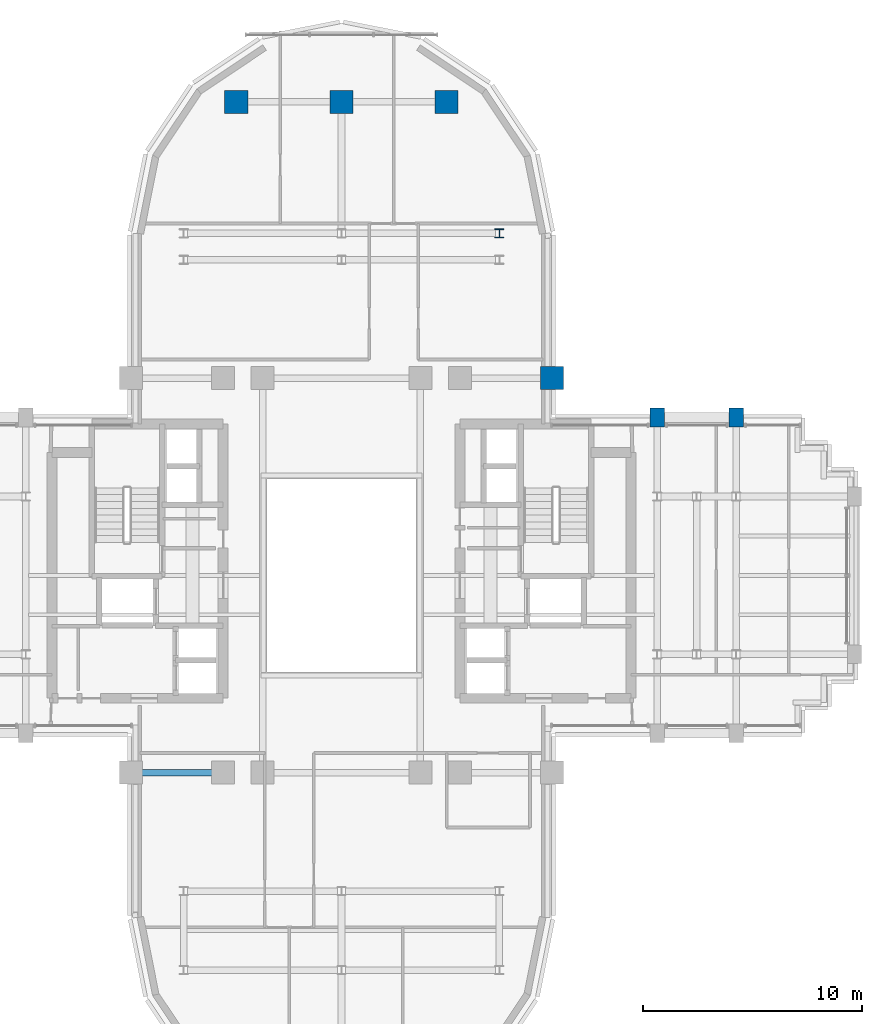
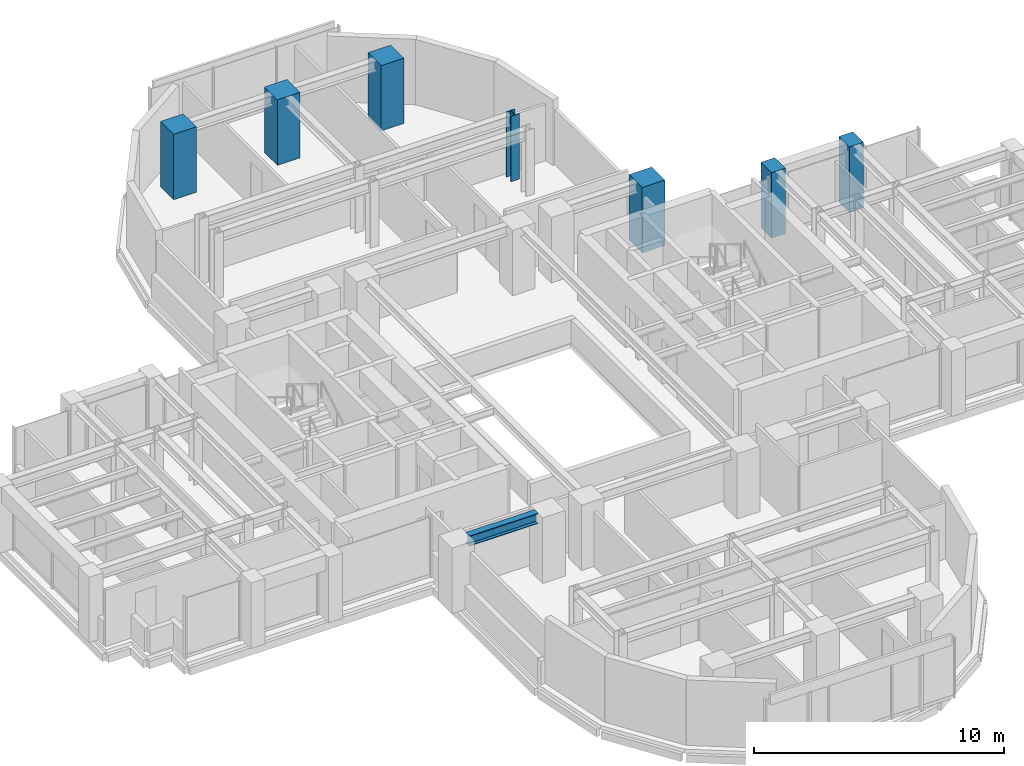
# One storey, part 2 of 14: 7 columns, 1 beam.
"""IFC4 building model written with IfcOpenShell, lengths in metres."""

from ifc_helpers import new_model, si_unit, direction, frame, origin, origin_2d, place, context, subcontext, project, spatial, rectangle, i_section, extrude, source, transform, mapped, material, material_profile, profile_set, type_object, element, save


model = new_model("IFC4")

# Units and contexts
model_context = context("Model", 3, precision=1e-05, world=origin(), true_north=direction((0.0, 1.0)))
body_context = subcontext(model_context, "Body", "Model", "MODEL_VIEW")
ifc_project = project(units=[si_unit("LENGTHUNIT", "METRE"), si_unit("AREAUNIT", "SQUARE_METRE"), si_unit("VOLUMEUNIT", "CUBIC_METRE"), si_unit("PLANEANGLEUNIT", "RADIAN"), si_unit("MASSUNIT", "GRAM", prefix="KILO")], contexts=[model_context])

# Site, building, storey
site_placement = place(None, origin())
site = spatial("IfcSite", under=ifc_project, at=site_placement, CompositionType="ELEMENT")
building_placement = place(site_placement, origin())
building = spatial("IfcBuilding", under=site, at=building_placement, Name="Keilestroom Media Tower", CompositionType="ELEMENT")
storey_placement = place(building_placement, frame((0.0, 0.0, 124.39990234375)))
storey = spatial("IfcBuildingStorey", under=building, at=storey_placement, Name="L33", CompositionType="ELEMENT", Elevation=124.39990234375)

# Columns
ifc_material_1 = material(Name="Precast concrete C40/50", Category="concrete")
ifc_material_profile_1 = material_profile(ifc_material_1, rectangle(XDim=0.64990234375, YDim=0.85009765625, at=origin_2d()), Name="PC 850x650")
ifc_profile_set_1 = profile_set([ifc_material_profile_1], Name="Precast concrete C40/50")
column_type_1 = type_object("IfcColumnType", Name="Structural-Column-PC-850x650", PredefinedType="COLUMN", material=ifc_profile_set_1)
shared_shape_1 = source(origin(), body_context, "Body", "SweptSolid", [
    extrude(rectangle(XDim=0.64990234375, YDim=0.85009765625, at=origin_2d()), origin(), (0.0, 0.0, 1.0), 3.2001953125),
])
for number, where, z_axis, x_axis, name in (
    (1, (14.39990234375, 7.199951171875, 0.0), (0.0, 0.0, 1.0), (1.0, 0.0, 0.0), "L33 Column PC-2 (+14.4,+7.2)"),
    (2, (18.0, 7.199951171875, 0.0), (0.0, 0.0, 1.0), (1.0, 0.0, 0.0), "L33 Column PC-2 (+18.0,+7.2)"),
):
    element("IfcColumn", number, at=place(storey_placement, frame(where, z_axis=z_axis, x_axis=x_axis)), inside=storey, type_object=column_type_1, Name=name, PredefinedType="COLUMN", context=body_context, shape_type="MappedRepresentation", body=[
        mapped(shared_shape_1, transform((0.0, 0.0, 0.0), x_axis=(1.0, 0.0, 0.0), y_axis=(0.0, 1.0, 0.0), z_axis=(0.0, 0.0, 1.0), scale=1.0)),
    ])
ifc_material_2 = material(Name="Steel S355", Category="steel")
ifc_material_profile_2 = material_profile(ifc_material_2, i_section(OverallWidth=0.40087890625, OverallDepth=0.39892578125, WebThickness=0.02001953125, FlangeThickness=0.031982421875, at=origin_2d()), Name="HD 400x314")
ifc_profile_set_2 = profile_set([ifc_material_profile_2], Name="Steel S355")
column_type_2 = type_object("IfcColumnType", Name="Structural-Column-HD-400x314", PredefinedType="COLUMN", material=ifc_profile_set_2)
shared_shape_2 = source(origin(), body_context, "Body", "SweptSolid", [
    extrude(i_section(OverallWidth=0.40087890625, OverallDepth=0.39892578125, WebThickness=0.02001953125, FlangeThickness=0.031982421875, at=origin_2d()), origin(), (0.0, 0.0, 1.0), 3.2001953125),
])
column_placement = place(storey_placement, frame((7.199951171875, 15.60009765625, 0.0), z_axis=(0.0, 0.0, 1.0), x_axis=(1.0, 0.0, 0.0)))
element("IfcColumn", 3, at=column_placement, inside=storey, type_object=column_type_2, Name="L33 Column SC-3 (+7.2,+15.6)", PredefinedType="COLUMN", context=body_context, shape_type="MappedRepresentation", body=[
    mapped(shared_shape_2, transform((0.0, 0.0, 0.0), x_axis=(1.0, 0.0, 0.0), y_axis=(0.0, 1.0, 0.0), z_axis=(0.0, 0.0, 1.0), scale=1.0)),
])
ifc_material_3 = material(Name="Concrete C55/67", Category="concrete")
ifc_material_profile_3 = material_profile(ifc_material_3, rectangle(XDim=1.050048828125, YDim=1.050048828125, at=origin_2d()), Name="RC 1050x1050")
ifc_profile_set_3 = profile_set([ifc_material_profile_3], Name="Concrete C55/67")
column_type_3 = type_object("IfcColumnType", Name="Structural-Column-RC-1050x1050", PredefinedType="COLUMN", material=ifc_profile_set_3)
shared_shape_3 = source(origin(), body_context, "Body", "SweptSolid", [
    extrude(rectangle(XDim=1.050048828125, YDim=1.050048828125, at=origin_2d()), origin(), (0.0, 0.0, 1.0), 3.2001953125),
])
for number, where, z_axis, x_axis, name in (
    (4, (-4.800048828125, 21.60009765625, 0.0), (0.0, 0.0, 1.0), (1.0, 0.0, 0.0), "L33 Column MC-3 (-4.8,+21.6)"),
    (5, (0.0, 21.60009765625, 0.0), (0.0, 0.0, 1.0), (1.0, 0.0, 0.0), "L33 Column MC-3 (+0.0,+21.6)"),
    (6, (4.800048828125, 21.60009765625, 0.0), (0.0, 0.0, 1.0), (1.0, 0.0, 0.0), "L33 Column MC-3 (+4.8,+21.6)"),
    (7, (9.60009765625, 9.0, 0.0), (0.0, 0.0, 1.0), (1.0, 0.0, 0.0), "L33 Column MC-3 (+9.6,+9.0)"),
):
    element("IfcColumn", number, at=place(storey_placement, frame(where, z_axis=z_axis, x_axis=x_axis)), inside=storey, type_object=column_type_3, Name=name, PredefinedType="COLUMN", context=body_context, shape_type="MappedRepresentation", body=[
        mapped(shared_shape_3, transform((0.0, 0.0, 0.0), x_axis=(1.0, 0.0, 0.0), y_axis=(0.0, 1.0, 0.0), z_axis=(0.0, 0.0, 1.0), scale=1.0)),
    ])

# Beam
ifc_material_profile_4 = material_profile(ifc_material_2, i_section(OverallWidth=0.300048828125, OverallDepth=0.5, WebThickness=0.012451171875, FlangeThickness=0.028076171875, at=origin_2d()), Name="HEB 500")
ifc_profile_set_4 = profile_set([ifc_material_profile_4], Name="Steel S355")
beam_type = type_object("IfcBeamType", Name="Primary-Structural-Girder-HEB-500", PredefinedType="BEAM", material=ifc_profile_set_4)
shared_shape_4 = source(origin(), body_context, "Body", "SweptSolid", [
    extrude(i_section(OverallWidth=0.300048828125, OverallDepth=0.5, WebThickness=0.012451171875, FlangeThickness=0.028076171875, at=origin_2d()), origin(), (0.0, 0.0, 1.0), 3.18994140625),
])
beam_placement = place(storey_placement, frame((-9.094970703125, -9.0, 2.9501953125), z_axis=(1.0, 0.0, 0.0), x_axis=(0.0, 1.0, 0.0)))
element("IfcBeam", 8, at=beam_placement, inside=storey, type_object=beam_type, Name="L33 Beam BG-6 BM-L33-EW-007", PredefinedType="BEAM", context=body_context, shape_type="MappedRepresentation", body=[
    mapped(shared_shape_4, transform((0.0, 0.0, 0.0), x_axis=(1.0, 0.0, 0.0), y_axis=(0.0, 1.0, 0.0), z_axis=(0.0, 0.0, 1.0), scale=1.0)),
])

save(model, "model.ifc")
